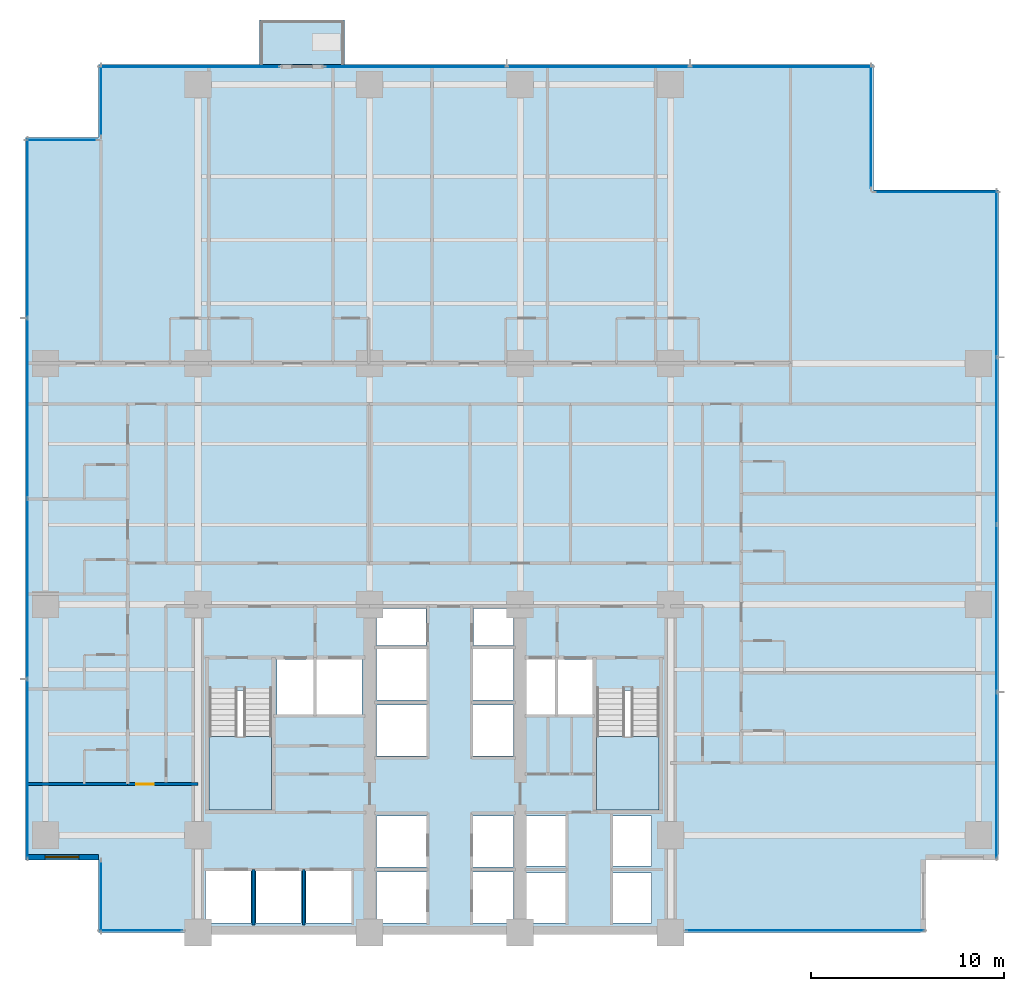
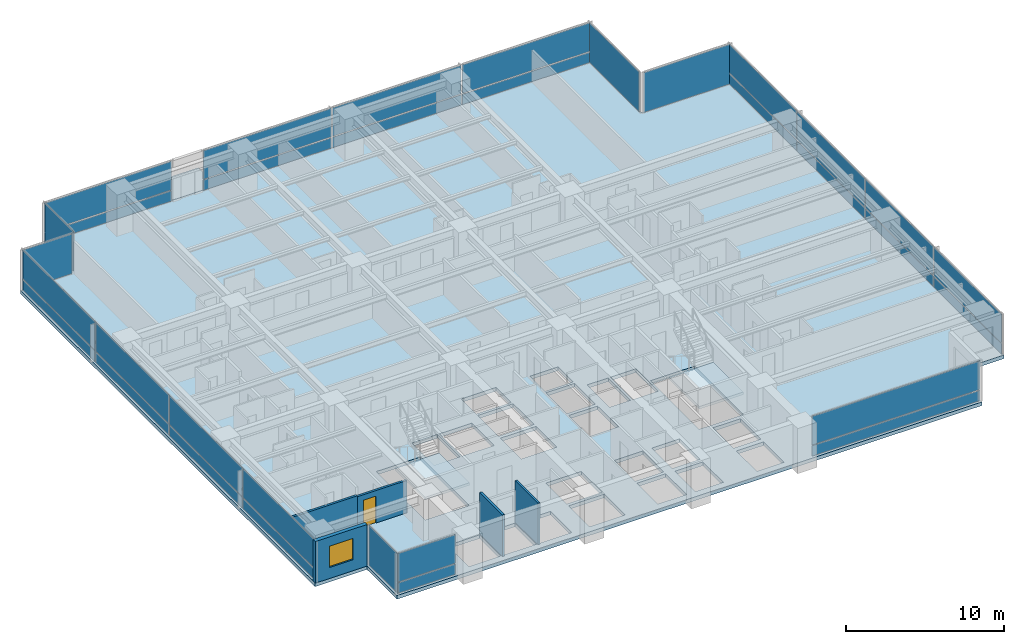
# One storey, part 6 of 18: 33 plates, 5 walls, 4 slabs, 1 door, 1 window, 2 openings, 13 elements without a shape of their own.
"""IFC4 building model written with IfcOpenShell, lengths in metres."""

from ifc_helpers import new_model, si_unit, direction, frame, frame_2d, origin, origin_2d, place, context, subcontext, project, spatial, polyline, rectangle, outline, extrude, material, layer, layer_set, type_object, element, fill, aggregate, save


model = new_model("IFC4")

# Units and contexts
model_context = context("Model", 3, precision=1e-05, world=origin(), true_north=direction((0.0, 1.0)))
body_context = subcontext(model_context, "Body", "Model", "MODEL_VIEW")
ifc_project = project(units=[si_unit("LENGTHUNIT", "METRE"), si_unit("AREAUNIT", "SQUARE_METRE"), si_unit("VOLUMEUNIT", "CUBIC_METRE"), si_unit("PLANEANGLEUNIT", "RADIAN"), si_unit("MASSUNIT", "GRAM", prefix="KILO")], contexts=[model_context])

# Site, building, storey
site_placement = place(None, origin())
site = spatial("IfcSite", under=ifc_project, at=site_placement, CompositionType="ELEMENT")
building_placement = place(site_placement, origin())
building = spatial("IfcBuilding", under=site, at=building_placement, Name="Qalmaran Belvedere Hotel", CompositionType="ELEMENT")
storey_placement = place(building_placement, frame((0.0, 0.0, 54.39990234375)))
storey = spatial("IfcBuildingStorey", under=building, at=storey_placement, Name="L13", CompositionType="ELEMENT", Elevation=54.39990234375)

# Curtain wall, plate
ifc_material_1 = material(Name="Anodised Bronze Aluminium", Category="aluminium")
ifc_layer_1 = layer(ifc_material_1, 0.2099609375, Name="Anodised Bronze Aluminium")
ifc_layer_set_1 = layer_set([ifc_layer_1], Name="Anodised Bronze Aluminium")
curtain_wall_type = type_object("IfcCurtainWallType", Name="CW2-TOWER-LOWER", PredefinedType="NOTDEFINED", material=ifc_layer_set_1)
curtain_wall_1_placement = place(storey_placement, origin())
curtain_wall_1 = element("IfcCurtainWall", 1, at=curtain_wall_1_placement, inside=storey, type_object=curtain_wall_type, Name="L13 Curtain Wall CW2", PredefinedType="NOTDEFINED")
ifc_material_2 = material(Name="Anodised Bronze Spandrel Panel")
ifc_layer_2 = layer(ifc_material_2, 0.035888671875, Name="Anodised Bronze Spandrel Panel")
ifc_layer_set_2 = layer_set([ifc_layer_2], Name="Anodised Bronze Spandrel Panel")
plate_type_1 = type_object("IfcPlateType", Name="CWP-SPANDREL-36", PredefinedType="CURTAIN_PANEL", material=ifc_layer_set_2)
plate_1_placement = place(storey_placement, frame((17.35498046875, 3.6201171875, 0.0703125), z_axis=(0.0, 0.0, 1.0), x_axis=(1.0, 0.0, 0.0)))
plate_1 = element("IfcPlate", 2, at=plate_1_placement, type_object=plate_type_1, Name="CW2 panel 1.1", PredefinedType="CURTAIN_PANEL", context=body_context, shape_type="SweptSolid", body=[
    extrude(rectangle(XDim=4.260009765625, YDim=0.035888671875, at=origin_2d()), origin(), (0.0, 0.0, 1.0), 0.796630859375),
])

curtain_wall_2_placement = place(storey_placement, origin())
curtain_wall_2 = element("IfcCurtainWall", 3, at=curtain_wall_2_placement, inside=storey, type_object=curtain_wall_type, Name="L13 Curtain Wall CW2", PredefinedType="NOTDEFINED")
plate_2_placement = place(storey_placement, frame((51.77001953125, 3.6201171875, 0.0703125), z_axis=(0.0, 0.0, 1.0), x_axis=(1.0, 0.0, 0.0)))
plate_2 = element("IfcPlate", 4, at=plate_2_placement, type_object=plate_type_1, Name="CW2 panel 1.1", PredefinedType="CURTAIN_PANEL", context=body_context, shape_type="SweptSolid", body=[
    extrude(rectangle(XDim=12.31005859375, YDim=0.035888671875, at=origin_2d()), origin(), (0.0, 0.0, 1.0), 0.796630859375),
])

# Curtain wall, plates
curtain_wall_3_placement = place(storey_placement, origin())
curtain_wall_3 = element("IfcCurtainWall", 5, at=curtain_wall_3_placement, inside=storey, type_object=curtain_wall_type, Name="L13 Curtain Wall CW2", PredefinedType="NOTDEFINED")
plate_3_placement = place(storey_placement, frame((61.679931640625, 11.65625, 0.0703125), z_axis=(0.0, 0.0, 1.0), x_axis=(0.0, 1.0, 0.0)))
plate_3 = element("IfcPlate", 6, at=plate_3_placement, type_object=plate_type_1, Name="CW2 panel 1.1", PredefinedType="CURTAIN_PANEL", context=body_context, shape_type="SweptSolid", body=[
    extrude(rectangle(XDim=8.5625, YDim=0.035888671875, at=origin_2d()), origin(), (0.0, 0.0, 1.0), 0.796630859375),
])
plate_4_placement = place(storey_placement, frame((61.679931640625, 20.3125, 0.0703125), z_axis=(0.0, 0.0, 1.0), x_axis=(0.0, 1.0, 0.0)))
plate_4 = element("IfcPlate", 7, at=plate_4_placement, type_object=plate_type_1, Name="CW2 panel 2.1", PredefinedType="CURTAIN_PANEL", context=body_context, shape_type="SweptSolid", body=[
    extrude(rectangle(XDim=8.60009765625, YDim=0.035888671875, at=origin_2d()), origin(), (0.0, 0.0, 1.0), 0.796630859375),
])
plate_5_placement = place(storey_placement, frame((61.679931640625, 28.987548828125, 0.0703125), z_axis=(0.0, 0.0, 1.0), x_axis=(0.0, 1.0, 0.0)))
plate_5 = element("IfcPlate", 8, at=plate_5_placement, type_object=plate_type_1, Name="CW2 panel 3.1", PredefinedType="CURTAIN_PANEL", context=body_context, shape_type="SweptSolid", body=[
    extrude(rectangle(XDim=8.60009765625, YDim=0.035888671875, at=origin_2d()), origin(), (0.0, 0.0, 1.0), 0.796630859375),
])
plate_6_placement = place(storey_placement, frame((61.679931640625, 37.643798828125, 0.0703125), z_axis=(0.0, 0.0, 1.0), x_axis=(0.0, 1.0, 0.0)))
plate_6 = element("IfcPlate", 9, at=plate_6_placement, type_object=plate_type_1, Name="CW2 panel 4.1", PredefinedType="CURTAIN_PANEL", context=body_context, shape_type="SweptSolid", body=[
    extrude(rectangle(XDim=8.5625, YDim=0.035888671875, at=origin_2d()), origin(), (0.0, 0.0, 1.0), 0.796630859375),
])

# Curtain wall, plate
curtain_wall_4_placement = place(storey_placement, origin())
curtain_wall_4 = element("IfcCurtainWall", 10, at=curtain_wall_4_placement, inside=storey, type_object=curtain_wall_type, Name="L13 Curtain Wall CW2", PredefinedType="NOTDEFINED")
plate_7_placement = place(storey_placement, frame((19.875, 48.3798828125, 0.0703125), z_axis=(0.0, 0.0, 1.0), x_axis=(-1.0, 0.0, 0.0)))
plate_7 = element("IfcPlate", 11, at=plate_7_placement, type_object=plate_type_1, Name="CW2 panel 1.1", PredefinedType="CURTAIN_PANEL", context=body_context, shape_type="SweptSolid", body=[
    extrude(rectangle(XDim=9.300048828125, YDim=0.035888671875, at=origin_2d()), origin(), (0.0, 0.0, 1.0), 0.796630859375),
])

# Curtain wall, plates
curtain_wall_5_placement = place(storey_placement, origin())
curtain_wall_5 = element("IfcCurtainWall", 12, at=curtain_wall_5_placement, inside=storey, type_object=curtain_wall_type, Name="L13 Curtain Wall CW2", PredefinedType="NOTDEFINED")
plate_8_placement = place(storey_placement, frame((50.53125, 48.3798828125, 0.0703125), z_axis=(0.0, 0.0, 1.0), x_axis=(-1.0, 0.0, 0.0)))
plate_8 = element("IfcPlate", 13, at=plate_8_placement, type_object=plate_type_1, Name="CW2 panel 1.1", PredefinedType="CURTAIN_PANEL", context=body_context, shape_type="SweptSolid", body=[
    extrude(rectangle(XDim=9.387451171875, YDim=0.035888671875, at=origin_2d()), origin(), (0.0, 0.0, 1.0), 0.796630859375),
])
plate_9_placement = place(storey_placement, frame((41.050048828125, 48.3798828125, 0.0703125), z_axis=(0.0, 0.0, 1.0), x_axis=(-1.0, 0.0, 0.0)))
plate_9 = element("IfcPlate", 14, at=plate_9_placement, type_object=plate_type_1, Name="CW2 panel 2.1", PredefinedType="CURTAIN_PANEL", context=body_context, shape_type="SweptSolid", body=[
    extrude(rectangle(XDim=9.425048828125, YDim=0.035888671875, at=origin_2d()), origin(), (0.0, 0.0, 1.0), 0.796630859375),
])
plate_10_placement = place(storey_placement, frame((31.56884765625, 48.3798828125, 0.0703125), z_axis=(0.0, 0.0, 1.0), x_axis=(-1.0, 0.0, 0.0)))
plate_10 = element("IfcPlate", 15, at=plate_10_placement, type_object=plate_type_1, Name="CW2 panel 3.1", PredefinedType="CURTAIN_PANEL", context=body_context, shape_type="SweptSolid", body=[
    extrude(rectangle(XDim=9.387451171875, YDim=0.035888671875, at=origin_2d()), origin(), (0.0, 0.0, 1.0), 0.796630859375),
])

curtain_wall_6_placement = place(storey_placement, origin())
curtain_wall_6 = element("IfcCurtainWall", 16, at=curtain_wall_6_placement, inside=storey, type_object=curtain_wall_type, Name="L13 Curtain Wall CW2", PredefinedType="NOTDEFINED")
plate_11_placement = place(storey_placement, frame((11.469970703125, 40.00634765625, 0.0703125), z_axis=(0.0, 0.0, 1.0), x_axis=(0.0, -1.0, 0.0)))
plate_11 = element("IfcPlate", 17, at=plate_11_placement, type_object=plate_type_1, Name="CW2 panel 1.1", PredefinedType="CURTAIN_PANEL", context=body_context, shape_type="SweptSolid", body=[
    extrude(rectangle(XDim=9.237548828125, YDim=0.035888671875, at=origin_2d()), origin(), (0.0, 0.0, 1.0), 0.796630859375),
])
plate_12_placement = place(storey_placement, frame((11.469970703125, 30.675048828125, 0.0703125), z_axis=(0.0, 0.0, 1.0), x_axis=(0.0, -1.0, 0.0)))
plate_12 = element("IfcPlate", 18, at=plate_12_placement, type_object=plate_type_1, Name="CW2 panel 2.1", PredefinedType="CURTAIN_PANEL", context=body_context, shape_type="SweptSolid", body=[
    extrude(rectangle(XDim=9.27490234375, YDim=0.035888671875, at=origin_2d()), origin(), (0.0, 0.0, 1.0), 0.796630859375),
])
plate_13_placement = place(storey_placement, frame((11.469970703125, 21.324951171875, 0.0703125), z_axis=(0.0, 0.0, 1.0), x_axis=(0.0, -1.0, 0.0)))
plate_13 = element("IfcPlate", 19, at=plate_13_placement, type_object=plate_type_1, Name="CW2 panel 3.1", PredefinedType="CURTAIN_PANEL", context=body_context, shape_type="SweptSolid", body=[
    extrude(rectangle(XDim=9.27490234375, YDim=0.035888671875, at=origin_2d()), origin(), (0.0, 0.0, 1.0), 0.796630859375),
])
plate_14_placement = place(storey_placement, frame((11.469970703125, 11.99365234375, 0.0703125), z_axis=(0.0, 0.0, 1.0), x_axis=(0.0, -1.0, 0.0)))
plate_14 = element("IfcPlate", 20, at=plate_14_placement, type_object=plate_type_1, Name="CW2 panel 4.1", PredefinedType="CURTAIN_PANEL", context=body_context, shape_type="SweptSolid", body=[
    extrude(rectangle(XDim=9.237548828125, YDim=0.035888671875, at=origin_2d()), origin(), (0.0, 0.0, 1.0), 0.796630859375),
])

# Plate
ifc_material_3 = material(Name="Solar-Control Double Glazing", Category="glass")
ifc_layer_3 = layer(ifc_material_3, 0.028076171875, Name="Solar-Control Double Glazing")
ifc_layer_set_3 = layer_set([ifc_layer_3], Name="Solar-Control Double Glazing")
plate_type_2 = type_object("IfcPlateType", Name="CWP-VISION-28", PredefinedType="CURTAIN_PANEL", material=ifc_layer_set_3)
plate_15_placement = place(storey_placement, frame((17.35498046875, 3.6201171875, 0.936767578125), z_axis=(0.0, 0.0, 1.0), x_axis=(1.0, 0.0, 0.0)))
plate_15 = element("IfcPlate", 21, at=plate_15_placement, type_object=plate_type_2, Name="CW2 panel 1.2", PredefinedType="CURTAIN_PANEL", context=body_context, shape_type="SweptSolid", body=[
    extrude(rectangle(XDim=4.260009765625, YDim=0.028076171875, at=origin_2d()), origin(), (0.0, 0.0, 1.0), 2.21337890625),
])

aggregate(curtain_wall_1, [plate_1, plate_15])

plate_16_placement = place(storey_placement, frame((51.77001953125, 3.6201171875, 0.936767578125), z_axis=(0.0, 0.0, 1.0), x_axis=(1.0, 0.0, 0.0)))
plate_16 = element("IfcPlate", 22, at=plate_16_placement, type_object=plate_type_2, Name="CW2 panel 1.2", PredefinedType="CURTAIN_PANEL", context=body_context, shape_type="SweptSolid", body=[
    extrude(rectangle(XDim=12.31005859375, YDim=0.028076171875, at=origin_2d()), origin(), (0.0, 0.0, 1.0), 2.21337890625),
])

aggregate(curtain_wall_2, [plate_2, plate_16])

plate_17_placement = place(storey_placement, frame((61.679931640625, 11.65625, 0.936767578125), z_axis=(0.0, 0.0, 1.0), x_axis=(0.0, 1.0, 0.0)))
plate_17 = element("IfcPlate", 23, at=plate_17_placement, type_object=plate_type_2, Name="CW2 panel 1.2", PredefinedType="CURTAIN_PANEL", context=body_context, shape_type="SweptSolid", body=[
    extrude(rectangle(XDim=8.5625, YDim=0.028076171875, at=origin_2d()), origin(), (0.0, 0.0, 1.0), 2.21337890625),
])

plate_18_placement = place(storey_placement, frame((61.679931640625, 20.3125, 0.936767578125), z_axis=(0.0, 0.0, 1.0), x_axis=(0.0, 1.0, 0.0)))
plate_18 = element("IfcPlate", 24, at=plate_18_placement, type_object=plate_type_2, Name="CW2 panel 2.2", PredefinedType="CURTAIN_PANEL", context=body_context, shape_type="SweptSolid", body=[
    extrude(rectangle(XDim=8.60009765625, YDim=0.028076171875, at=origin_2d()), origin(), (0.0, 0.0, 1.0), 2.21337890625),
])

plate_19_placement = place(storey_placement, frame((61.679931640625, 28.987548828125, 0.936767578125), z_axis=(0.0, 0.0, 1.0), x_axis=(0.0, 1.0, 0.0)))
plate_19 = element("IfcPlate", 25, at=plate_19_placement, type_object=plate_type_2, Name="CW2 panel 3.2", PredefinedType="CURTAIN_PANEL", context=body_context, shape_type="SweptSolid", body=[
    extrude(rectangle(XDim=8.60009765625, YDim=0.028076171875, at=origin_2d()), origin(), (0.0, 0.0, 1.0), 2.21337890625),
])

plate_20_placement = place(storey_placement, frame((61.679931640625, 37.643798828125, 0.936767578125), z_axis=(0.0, 0.0, 1.0), x_axis=(0.0, 1.0, 0.0)))
plate_20 = element("IfcPlate", 26, at=plate_20_placement, type_object=plate_type_2, Name="CW2 panel 4.2", PredefinedType="CURTAIN_PANEL", context=body_context, shape_type="SweptSolid", body=[
    extrude(rectangle(XDim=8.5625, YDim=0.028076171875, at=origin_2d()), origin(), (0.0, 0.0, 1.0), 2.21337890625),
])

aggregate(curtain_wall_3, [plate_3, plate_17, plate_4, plate_18, plate_5, plate_19, plate_6, plate_20])

# Curtain wall, plate
curtain_wall_7_placement = place(storey_placement, origin())
curtain_wall_7 = element("IfcCurtainWall", 27, at=curtain_wall_7_placement, inside=storey, type_object=curtain_wall_type, Name="L13 Curtain Wall CW2", PredefinedType="NOTDEFINED")
plate_21_placement = place(storey_placement, frame((58.550048828125, 41.8798828125, 0.070068359375), z_axis=(0.0, 0.0, 1.0), x_axis=(-1.0, 0.0, 0.0)))
plate_21 = element("IfcPlate", 28, at=plate_21_placement, type_object=plate_type_2, Name="CW2 panel 1.1", PredefinedType="CURTAIN_PANEL", context=body_context, shape_type="SweptSolid", body=[
    extrude(rectangle(XDim=6.35009765625, YDim=0.028076171875, at=origin_2d()), origin(), (0.0, 0.0, 1.0), 3.080078125),
])
aggregate(curtain_wall_7, [plate_21])

curtain_wall_8_placement = place(storey_placement, origin())
curtain_wall_8 = element("IfcCurtainWall", 29, at=curtain_wall_8_placement, inside=storey, type_object=curtain_wall_type, Name="L13 Curtain Wall CW2", PredefinedType="NOTDEFINED")
plate_22_placement = place(storey_placement, frame((55.179931640625, 45.25, 0.070068359375), z_axis=(0.0, 0.0, 1.0), x_axis=(0.0, 1.0, 0.0)))
plate_22 = element("IfcPlate", 30, at=plate_22_placement, type_object=plate_type_2, Name="CW2 panel 1.1", PredefinedType="CURTAIN_PANEL", context=body_context, shape_type="SweptSolid", body=[
    extrude(rectangle(XDim=6.35009765625, YDim=0.028076171875, at=origin_2d()), origin(), (0.0, 0.0, 1.0), 3.080078125),
])
aggregate(curtain_wall_8, [plate_22])

# Plate
plate_23_placement = place(storey_placement, frame((19.875, 48.3798828125, 0.936767578125), z_axis=(0.0, 0.0, 1.0), x_axis=(-1.0, 0.0, 0.0)))
plate_23 = element("IfcPlate", 31, at=plate_23_placement, type_object=plate_type_2, Name="CW2 panel 1.2", PredefinedType="CURTAIN_PANEL", context=body_context, shape_type="SweptSolid", body=[
    extrude(rectangle(XDim=9.300048828125, YDim=0.028076171875, at=origin_2d()), origin(), (0.0, 0.0, 1.0), 2.21337890625),
])

aggregate(curtain_wall_4, [plate_7, plate_23])

plate_24_placement = place(storey_placement, frame((50.53125, 48.3798828125, 0.936767578125), z_axis=(0.0, 0.0, 1.0), x_axis=(-1.0, 0.0, 0.0)))
plate_24 = element("IfcPlate", 32, at=plate_24_placement, type_object=plate_type_2, Name="CW2 panel 1.2", PredefinedType="CURTAIN_PANEL", context=body_context, shape_type="SweptSolid", body=[
    extrude(rectangle(XDim=9.387451171875, YDim=0.028076171875, at=origin_2d()), origin(), (0.0, 0.0, 1.0), 2.21337890625),
])

plate_25_placement = place(storey_placement, frame((41.050048828125, 48.3798828125, 0.936767578125), z_axis=(0.0, 0.0, 1.0), x_axis=(-1.0, 0.0, 0.0)))
plate_25 = element("IfcPlate", 33, at=plate_25_placement, type_object=plate_type_2, Name="CW2 panel 2.2", PredefinedType="CURTAIN_PANEL", context=body_context, shape_type="SweptSolid", body=[
    extrude(rectangle(XDim=9.425048828125, YDim=0.028076171875, at=origin_2d()), origin(), (0.0, 0.0, 1.0), 2.21337890625),
])

plate_26_placement = place(storey_placement, frame((31.56884765625, 48.3798828125, 0.936767578125), z_axis=(0.0, 0.0, 1.0), x_axis=(-1.0, 0.0, 0.0)))
plate_26 = element("IfcPlate", 34, at=plate_26_placement, type_object=plate_type_2, Name="CW2 panel 3.2", PredefinedType="CURTAIN_PANEL", context=body_context, shape_type="SweptSolid", body=[
    extrude(rectangle(XDim=9.387451171875, YDim=0.028076171875, at=origin_2d()), origin(), (0.0, 0.0, 1.0), 2.21337890625),
])

aggregate(curtain_wall_5, [plate_8, plate_24, plate_9, plate_25, plate_10, plate_26])

# Curtain wall, plate
curtain_wall_9_placement = place(storey_placement, origin())
curtain_wall_9 = element("IfcCurtainWall", 35, at=curtain_wall_9_placement, inside=storey, type_object=curtain_wall_type, Name="L13 Curtain Wall CW2", PredefinedType="NOTDEFINED")
plate_27_placement = place(storey_placement, frame((15.27001953125, 46.60009765625, 0.070068359375), z_axis=(0.0, 0.0, 1.0), x_axis=(0.0, -1.0, 0.0)))
plate_27 = element("IfcPlate", 36, at=plate_27_placement, type_object=plate_type_2, Name="CW2 panel 1.1", PredefinedType="CURTAIN_PANEL", context=body_context, shape_type="SweptSolid", body=[
    extrude(rectangle(XDim=3.64990234375, YDim=0.028076171875, at=origin_2d()), origin(), (0.0, 0.0, 1.0), 3.080078125),
])
aggregate(curtain_wall_9, [plate_27])

curtain_wall_10_placement = place(storey_placement, origin())
curtain_wall_10 = element("IfcCurtainWall", 37, at=curtain_wall_10_placement, inside=storey, type_object=curtain_wall_type, Name="L13 Curtain Wall CW2", PredefinedType="NOTDEFINED")
plate_28_placement = place(storey_placement, frame((13.25, 44.580078125, 0.070068359375), z_axis=(0.0, 0.0, 1.0), x_axis=(-1.0, 0.0, 0.0)))
plate_28 = element("IfcPlate", 38, at=plate_28_placement, type_object=plate_type_2, Name="CW2 panel 1.1", PredefinedType="CURTAIN_PANEL", context=body_context, shape_type="SweptSolid", body=[
    extrude(rectangle(XDim=3.64990234375, YDim=0.028076171875, at=origin_2d()), origin(), (0.0, 0.0, 1.0), 3.080078125),
])
aggregate(curtain_wall_10, [plate_28])

# Plate
plate_29_placement = place(storey_placement, frame((11.469970703125, 40.00634765625, 0.936767578125), z_axis=(0.0, 0.0, 1.0), x_axis=(0.0, -1.0, 0.0)))
plate_29 = element("IfcPlate", 39, at=plate_29_placement, type_object=plate_type_2, Name="CW2 panel 1.2", PredefinedType="CURTAIN_PANEL", context=body_context, shape_type="SweptSolid", body=[
    extrude(rectangle(XDim=9.237548828125, YDim=0.028076171875, at=origin_2d()), origin(), (0.0, 0.0, 1.0), 2.21337890625),
])

plate_30_placement = place(storey_placement, frame((11.469970703125, 30.675048828125, 0.936767578125), z_axis=(0.0, 0.0, 1.0), x_axis=(0.0, -1.0, 0.0)))
plate_30 = element("IfcPlate", 40, at=plate_30_placement, type_object=plate_type_2, Name="CW2 panel 2.2", PredefinedType="CURTAIN_PANEL", context=body_context, shape_type="SweptSolid", body=[
    extrude(rectangle(XDim=9.27490234375, YDim=0.028076171875, at=origin_2d()), origin(), (0.0, 0.0, 1.0), 2.21337890625),
])

plate_31_placement = place(storey_placement, frame((11.469970703125, 21.324951171875, 0.936767578125), z_axis=(0.0, 0.0, 1.0), x_axis=(0.0, -1.0, 0.0)))
plate_31 = element("IfcPlate", 41, at=plate_31_placement, type_object=plate_type_2, Name="CW2 panel 3.2", PredefinedType="CURTAIN_PANEL", context=body_context, shape_type="SweptSolid", body=[
    extrude(rectangle(XDim=9.27490234375, YDim=0.028076171875, at=origin_2d()), origin(), (0.0, 0.0, 1.0), 2.21337890625),
])

plate_32_placement = place(storey_placement, frame((11.469970703125, 11.99365234375, 0.936767578125), z_axis=(0.0, 0.0, 1.0), x_axis=(0.0, -1.0, 0.0)))
plate_32 = element("IfcPlate", 42, at=plate_32_placement, type_object=plate_type_2, Name="CW2 panel 4.2", PredefinedType="CURTAIN_PANEL", context=body_context, shape_type="SweptSolid", body=[
    extrude(rectangle(XDim=9.237548828125, YDim=0.028076171875, at=origin_2d()), origin(), (0.0, 0.0, 1.0), 2.21337890625),
])

aggregate(curtain_wall_6, [plate_11, plate_29, plate_12, plate_30, plate_13, plate_31, plate_14, plate_32])

# Curtain wall, plate
curtain_wall_11_placement = place(storey_placement, origin())
curtain_wall_11 = element("IfcCurtainWall", 43, at=curtain_wall_11_placement, inside=storey, type_object=curtain_wall_type, Name="L13 Curtain Wall CW2", PredefinedType="NOTDEFINED")
plate_33_placement = place(storey_placement, frame((15.27001953125, 5.39990234375, 0.070068359375), z_axis=(0.0, 0.0, 1.0), x_axis=(0.0, -1.0, 0.0)))
plate_33 = element("IfcPlate", 44, at=plate_33_placement, type_object=plate_type_2, Name="CW2 panel 1.1", PredefinedType="CURTAIN_PANEL", context=body_context, shape_type="SweptSolid", body=[
    extrude(rectangle(XDim=3.64990234375, YDim=0.028076171875, at=origin_2d()), origin(), (0.0, 0.0, 1.0), 3.080078125),
])
aggregate(curtain_wall_11, [plate_33])

# Slab
ifc_material_4 = material(Name="Concrete C40/50", Category="concrete")
ifc_layer_4 = layer(ifc_material_4, 0.219970703125, Name="Concrete C40/50")
ifc_layer_set_4 = layer_set([ifc_layer_4], Name="Concrete C40/50")
slab_type_1 = type_object("IfcSlabType", Name="SLB-BAL-220", PredefinedType="USERDEFINED", material=ifc_layer_set_4)
slab_1_placement = place(storey_placement, frame((0.0, 0.0, -0.219970703125)))
element("IfcSlab", 45, at=slab_1_placement, inside=storey, type_object=slab_type_1, Name="L13 Planted Tree Balcony Slab 1", ObjectType="BALCONY", PredefinedType="USERDEFINED", context=body_context, shape_type="SweptSolid", body=[
    extrude(outline(polyline([(23.5, 48.5), (27.89990234375, 48.5), (27.89990234375, 50.800048828125), (23.5, 50.800048828125), (23.5, 48.5)])), origin(), (0.0, 0.0, 1.0), 0.219970703125),
])

# Stair, slab
stair_type_1 = type_object("IfcStairType", Name="STR-ST-1-1450-R1750", PredefinedType="HALF_TURN_STAIR", material=ifc_material_4)
stair_1_placement = place(storey_placement, origin())
stair_1 = element("IfcStair", 46, at=stair_1_placement, inside=storey, type_object=stair_type_1, Name="L13 West Core Exit Stair ST-1", PredefinedType="HALF_TURN_STAIR")
ifc_layer_5 = layer(ifc_material_4, 0.199951171875, Name="Concrete C40/50")
ifc_layer_set_5 = layer_set([ifc_layer_5], Name="Concrete C40/50")
slab_type_2 = type_object("IfcSlabType", Name="SLB-STAIR-LANDING-200", PredefinedType="LANDING", material=ifc_layer_set_5)
slab_2_placement = place(storey_placement, frame((0.0, 0.0, 1.550048828125)))
slab_2 = element("IfcSlab", 47, at=slab_2_placement, type_object=slab_type_2, Name="ST-1 landing 1", PredefinedType="LANDING", context=body_context, shape_type="SweptSolid", body=[
    extrude(outline(polyline([(20.8798828125, 13.669921875), (20.8798828125, 9.85009765625), (24.1201171875, 9.85009765625), (24.1201171875, 13.669921875), (20.8798828125, 13.669921875)])), origin(), (0.0, 0.0, 1.0), 0.199951171875),
])
aggregate(stair_1, [slab_2])

stair_type_2 = type_object("IfcStairType", Name="STR-ST-2-1450-R1750", PredefinedType="HALF_TURN_STAIR", material=ifc_material_4)
stair_2_placement = place(storey_placement, origin())
stair_2 = element("IfcStair", 48, at=stair_2_placement, inside=storey, type_object=stair_type_2, Name="L13 East Core Exit Stair ST-2", PredefinedType="HALF_TURN_STAIR")
slab_3_placement = place(storey_placement, frame((0.0, 0.0, 1.550048828125)))
slab_3 = element("IfcSlab", 49, at=slab_3_placement, type_object=slab_type_2, Name="ST-2 landing 1", PredefinedType="LANDING", context=body_context, shape_type="SweptSolid", body=[
    extrude(outline(polyline([(40.9599609375, 13.669921875), (40.9599609375, 9.85009765625), (44.199951171875, 9.85009765625), (44.199951171875, 13.669921875), (40.9599609375, 13.669921875)])), origin(), (0.0, 0.0, 1.0), 0.199951171875),
])
aggregate(stair_2, [slab_3])

# Slab
ifc_layer_6 = layer(ifc_material_4, 0.280029296875, Name="Concrete C40/50")
ifc_layer_set_6 = layer_set([ifc_layer_6], Name="Concrete C40/50")
slab_type_3 = type_object("IfcSlabType", Name="SLB-Z1-280", PredefinedType="FLOOR", material=ifc_layer_set_6)
slab_4_placement = place(storey_placement, frame((0.0, 0.0, -0.27978515625)))
element("IfcSlab", 50, at=slab_4_placement, inside=storey, type_object=slab_type_3, Name="L13 Structural Floor Slab", PredefinedType="FLOOR", context=body_context, shape_type="SweptSolid", body=[
    extrude(outline(polyline([(15.14990234375, 3.5), (58.0, 3.5), (58.0, 7.300048828125), (61.800048828125, 7.300048828125), (61.800048828125, 42.0), (55.300048828125, 42.0), (55.300048828125, 48.5), (15.14990234375, 48.5), (15.14990234375, 44.699951171875), (11.35009765625, 44.699951171875), (11.35009765625, 7.300048828125), (15.14990234375, 7.300048828125), (15.14990234375, 3.5)]), holes=[polyline([(20.8798828125, 9.85009765625), (24.1201171875, 9.85009765625), (24.1201171875, 16.0400390625), (20.8798828125, 16.0400390625), (20.8798828125, 9.85009765625)]), polyline([(40.9599609375, 9.85009765625), (44.199951171875, 9.85009765625), (44.199951171875, 16.0400390625), (40.9599609375, 16.0400390625), (40.9599609375, 9.85009765625)]), polyline([(29.544921875, 4.0), (32.14990234375, 4.0), (32.14990234375, 6.64990234375), (29.544921875, 6.64990234375), (29.544921875, 4.0)]), polyline([(29.544921875, 6.89990234375), (32.14990234375, 6.89990234375), (32.14990234375, 9.550048828125), (29.544921875, 9.550048828125), (29.544921875, 6.89990234375)]), polyline([(34.550048828125, 4.0), (36.655029296875, 4.0), (36.655029296875, 6.64990234375), (34.550048828125, 6.64990234375), (34.550048828125, 4.0)]), polyline([(34.550048828125, 6.89990234375), (36.655029296875, 6.89990234375), (36.655029296875, 9.550048828125), (34.550048828125, 9.550048828125), (34.550048828125, 6.89990234375)]), polyline([(29.544921875, 12.64990234375), (32.14990234375, 12.64990234375), (32.14990234375, 15.300048828125), (29.544921875, 15.300048828125), (29.544921875, 12.64990234375)]), polyline([(29.544921875, 15.550048828125), (32.14990234375, 15.550048828125), (32.14990234375, 18.199951171875), (29.544921875, 18.199951171875), (29.544921875, 15.550048828125)]), polyline([(34.550048828125, 12.64990234375), (36.655029296875, 12.64990234375), (36.655029296875, 15.300048828125), (34.550048828125, 15.300048828125), (34.550048828125, 12.64990234375)]), polyline([(34.550048828125, 15.550048828125), (36.655029296875, 15.550048828125), (36.655029296875, 18.199951171875), (34.550048828125, 18.199951171875), (34.550048828125, 15.550048828125)]), polyline([(37.300048828125, 4.0), (39.35009765625, 4.0), (39.35009765625, 6.60009765625), (37.300048828125, 6.60009765625), (37.300048828125, 4.0)]), polyline([(37.300048828125, 6.949951171875), (39.35009765625, 6.949951171875), (39.35009765625, 9.550048828125), (37.300048828125, 9.550048828125), (37.300048828125, 6.949951171875)]), polyline([(41.800048828125, 4.0), (43.800048828125, 4.0), (43.800048828125, 6.60009765625), (41.800048828125, 6.60009765625), (41.800048828125, 4.0)]), polyline([(41.800048828125, 6.949951171875), (43.800048828125, 6.949951171875), (43.800048828125, 9.550048828125), (41.800048828125, 9.550048828125), (41.800048828125, 6.949951171875)]), polyline([(20.699951171875, 4.0), (23.050048828125, 4.0), (23.050048828125, 6.699951171875), (20.699951171875, 6.699951171875), (20.699951171875, 4.0)]), polyline([(23.300048828125, 4.0), (25.64990234375, 4.0), (25.64990234375, 6.699951171875), (23.300048828125, 6.699951171875), (23.300048828125, 4.0)]), polyline([(25.89990234375, 4.0), (28.25, 4.0), (28.25, 6.699951171875), (25.89990234375, 6.699951171875), (25.89990234375, 4.0)]), polyline([(24.39990234375, 14.800048828125), (26.300048828125, 14.800048828125), (26.300048828125, 17.64990234375), (24.39990234375, 17.64990234375), (24.39990234375, 14.800048828125)]), polyline([(38.949951171875, 14.800048828125), (40.820068359375, 14.800048828125), (40.820068359375, 17.64990234375), (38.949951171875, 17.64990234375), (38.949951171875, 14.800048828125)]), polyline([(26.449951171875, 14.800048828125), (28.800048828125, 14.800048828125), (28.800048828125, 17.64990234375), (26.449951171875, 17.64990234375), (26.449951171875, 14.800048828125)]), polyline([(37.25, 14.800048828125), (38.800048828125, 14.800048828125), (38.800048828125, 17.64990234375), (37.25, 17.64990234375), (37.25, 14.800048828125)]), polyline([(29.544921875, 18.3798828125), (32.1201171875, 18.3798828125), (32.1201171875, 20.300048828125), (29.544921875, 20.300048828125), (29.544921875, 18.3798828125)]), polyline([(34.580078125, 18.3798828125), (36.655029296875, 18.3798828125), (36.655029296875, 20.300048828125), (34.580078125, 20.300048828125), (34.580078125, 18.3798828125)])]), origin(), (0.0, 0.0, 1.0), 0.27978515625),
])

# Wall, opening, window
ifc_material_5 = material(Name="Anodised Bronze Cladding")
ifc_layer_7 = layer(ifc_material_5, 0.280029296875, Name="Anodised Bronze Cladding")
ifc_layer_set_7 = layer_set([ifc_layer_7], Name="Anodised Bronze Cladding")
wall_type_1 = type_object("IfcWallType", Name="WL-EXT-BRNZ-280", PredefinedType="SOLIDWALL", material=ifc_layer_set_7)
wall_1_placement = place(storey_placement, frame((11.35009765625, 7.419921875, 0.0), z_axis=(0.0, 0.0, 1.0), x_axis=(1.0, 0.0, 0.0)))
wall_1 = element("IfcWall", 51, at=wall_1_placement, inside=storey, type_object=wall_type_1, Name="L13 Corner Notch Wall 10", PredefinedType="SOLIDWALL", context=body_context, shape_type="SweptSolid", body=[
    extrude(rectangle(XDim=3.7998046875, YDim=0.280029296875, at=frame_2d((1.89990234375, 0.0))), origin(), (0.0, 0.0, 1.0), 3.22021484375),
])
opening_1_placement = place(wall_1_placement, frame((1.02490234375, 0.0, 0.85009765625)))
opening_1 = element("IfcOpeningElement", 52, at=opening_1_placement, cuts=wall_1, Name="Opening W-N17", PredefinedType="OPENING", context=body_context, shape_type="SweptSolid", body=[
    extrude(rectangle(XDim=1.75, YDim=1.64990234375, at=frame_2d((0.875, 0.824951171875))), frame((0.0, 0.14990234375, 0.0), z_axis=(0.0, -1.0, 0.0), x_axis=(1.0, 0.0, 0.0)), (0.0, 0.0, 1.0), 0.300048828125),
])
window_type = type_object("IfcWindowType", Name="WN-NTC-1750X1650", PartitioningType="SINGLE_PANEL", PredefinedType="WINDOW", material=ifc_material_3)
window_placement = place(opening_1_placement, origin())
window = element("IfcWindow", 53, at=window_placement, inside=storey, type_object=window_type, Name="L13 Corner Notch Window 10", OverallHeight=1.64990234375, OverallWidth=1.75, PartitioningType="SINGLE_PANEL", PredefinedType="WINDOW", context=body_context, shape_type="SweptSolid", body=[
    extrude(rectangle(XDim=1.75, YDim=1.64990234375, at=frame_2d((0.875, 0.824951171875))), frame((0.0, 0.030029296875, 0.0), z_axis=(0.0, -1.0, 0.0), x_axis=(1.0, 0.0, 0.0)), (0.0, 0.0, 1.0), 0.06005859375),
])
fill(opening_1, window)

# Walls
ifc_material_6 = material(Name="Gypsum Stud Partition")
ifc_layer_8 = layer(ifc_material_6, 0.14990234375, Name="Gypsum Stud Partition")
ifc_layer_set_8 = layer_set([ifc_layer_8], Name="Gypsum Stud Partition")
wall_type_2 = type_object("IfcWallType", Name="WL-INT-150-EI120", PredefinedType="PARTITIONING", material=ifc_layer_set_8)
for number, where, z_axis, x_axis, name in (
    (54, (23.179931640625, 3.89990234375, 0.0), (0.0, 0.0, 1.0), (0.0, 1.0, 0.0), "L13 Partition WL-POM1-L13"),
    (55, (25.780029296875, 3.89990234375, 0.0), (0.0, 0.0, 1.0), (0.0, 1.0, 0.0), "L13 Partition WL-POM2-L13"),
):
    element("IfcWall", number, at=place(storey_placement, frame(where, z_axis=z_axis, x_axis=x_axis)), inside=storey, type_object=wall_type_2, Name=name, PredefinedType="PARTITIONING", context=body_context, shape_type="SweptSolid", body=[
        extrude(rectangle(XDim=2.880126953125, YDim=0.14990234375, at=frame_2d((1.43994140625, 0.0))), origin(), (0.0, 0.0, 1.0), 3.22021484375),
    ])

# Wall, opening, door
ifc_layer_9 = layer(ifc_material_6, 0.159912109375, Name="Gypsum Stud Partition")
ifc_layer_set_9 = layer_set([ifc_layer_9], Name="Gypsum Stud Partition")
wall_type_3 = type_object("IfcWallType", Name="WL-INT-160-EI60", PredefinedType="PARTITIONING", material=ifc_layer_set_9)
wall_2_placement = place(storey_placement, frame((16.64990234375, 11.199951171875, 0.0), z_axis=(0.0, 0.0, 1.0), x_axis=(1.0, 0.0, 0.0)))
wall_2 = element("IfcWall", 56, at=wall_2_placement, inside=storey, type_object=wall_type_3, Name="L13 Partition WL-L13-SWRL", PredefinedType="PARTITIONING", context=body_context, shape_type="SweptSolid", body=[
    extrude(rectangle(XDim=3.650146484375, YDim=0.159912109375, at=frame_2d((1.8251953125, 0.0))), origin(), (0.0, 0.0, 1.0), 2.510009765625),
])
opening_2_placement = place(wall_2_placement, frame((1.369873046875, 0.0, 0.0), z_axis=(0.0, 0.0, 1.0), x_axis=(-1.0, 0.0, 0.0)))
opening_2 = element("IfcOpeningElement", 57, at=opening_2_placement, cuts=wall_2, Name="Opening FD60S1", PredefinedType="OPENING", context=body_context, shape_type="SweptSolid", body=[
    extrude(rectangle(XDim=0.919921875, YDim=2.080078125, at=frame_2d((0.4599609375, 1.0400390625))), frame((0.0, 0.08984375, 0.0), z_axis=(0.0, -1.0, 0.0), x_axis=(1.0, 0.0, 0.0)), (0.0, 0.0, 1.0), 0.179931640625),
])
ifc_material_7 = material(Name="Engineered Oak Veneer")
door_type = type_object("IfcDoorType", Name="DR-FD60S-920X2080", OperationType="NOTDEFINED", PredefinedType="DOOR", material=ifc_material_7)
door_placement = place(opening_2_placement, origin())
door = element("IfcDoor", 58, at=door_placement, inside=storey, type_object=door_type, Name="L13 SW Lounge Door", OperationType="SINGLE_SWING_LEFT", OverallHeight=2.080078125, OverallWidth=0.919921875, PredefinedType="DOOR", context=body_context, shape_type="SweptSolid", body=[
    extrude(rectangle(XDim=0.919921875, YDim=2.080078125, at=frame_2d((0.4599609375, 1.0400390625))), frame((0.0, 0.02490234375, 0.0), z_axis=(0.0, -1.0, 0.0), x_axis=(1.0, 0.0, 0.0)), (0.0, 0.0, 1.0), 0.050048828125),
])
fill(opening_2, door)

# Wall
wall_3_placement = place(storey_placement, frame((11.469970703125, 11.199951171875, 0.0), z_axis=(0.0, 0.0, 1.0), x_axis=(1.0, 0.0, 0.0)))
element("IfcWall", 59, at=wall_3_placement, inside=storey, type_object=wall_type_3, Name="L13 Partition WL-L13-WBOT", PredefinedType="PARTITIONING", context=body_context, shape_type="SweptSolid", body=[
    extrude(rectangle(XDim=5.179931640625, YDim=0.159912109375, at=frame_2d((2.58984375, 0.0))), origin(), (0.0, 0.0, 1.0), 2.5830078125),
])

save(model, "model.ifc")
